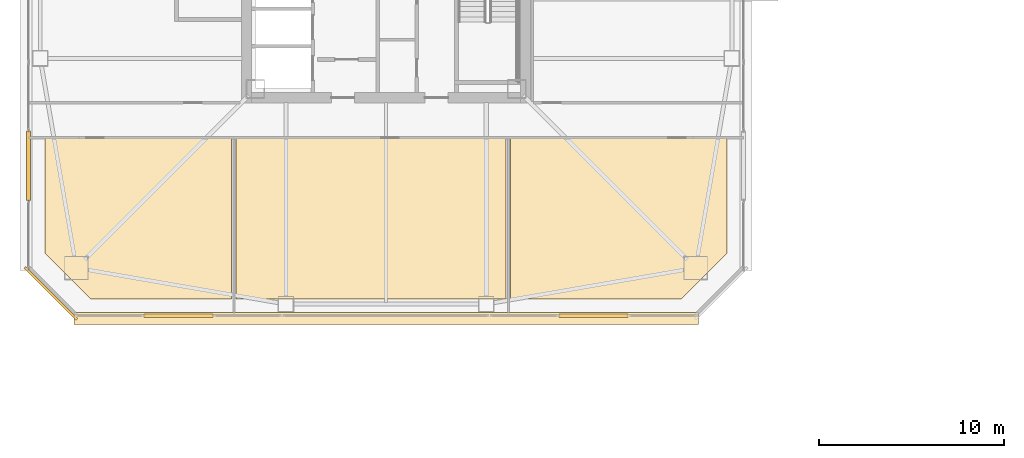
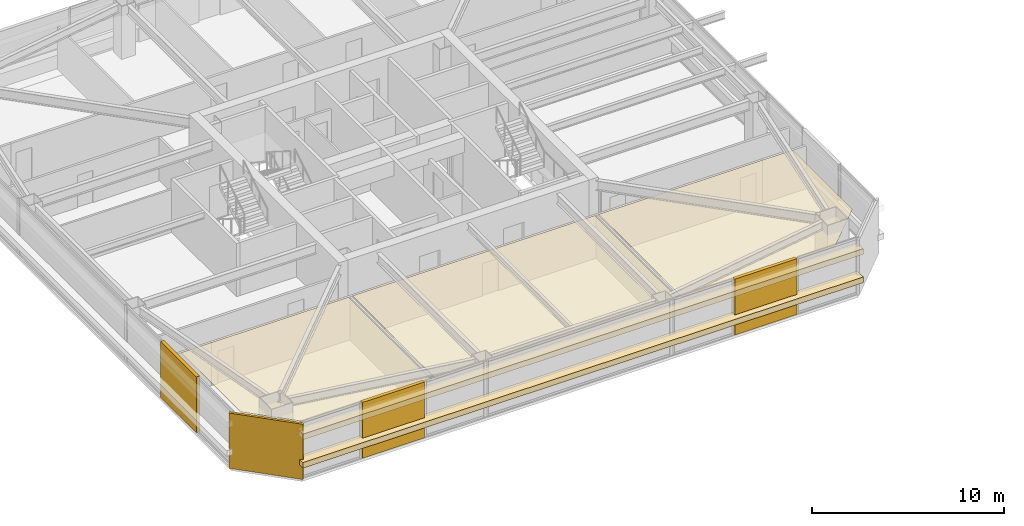
# One storey, part 42 of 46: 9 coverings.
"""IFC4 building model written with IfcOpenShell, lengths in metres."""

from ifc_helpers import new_model, si_unit, direction, frame, origin, origin_2d, place, context, subcontext, project, spatial, polyline, rectangle, outline, extrude, material, layer, layer_set, type_object, element, save


model = new_model("IFC4")

# Units and contexts
model_context = context("Model", 3, precision=1e-05, world=origin(), true_north=direction((0.0, 1.0)))
body_context = subcontext(model_context, "Body", "Model", "MODEL_VIEW")
ifc_project = project(units=[si_unit("LENGTHUNIT", "METRE"), si_unit("AREAUNIT", "SQUARE_METRE"), si_unit("VOLUMEUNIT", "CUBIC_METRE"), si_unit("PLANEANGLEUNIT", "RADIAN"), si_unit("MASSUNIT", "GRAM", prefix="KILO")], contexts=[model_context])

# Site, building, storey
site_placement = place(None, origin())
site = spatial("IfcSite", under=ifc_project, at=site_placement, CompositionType="ELEMENT")
building_placement = place(site_placement, origin())
building = spatial("IfcBuilding", under=site, at=building_placement, Name="Tashvorn Skyway Center", CompositionType="ELEMENT")
storey_placement = place(building_placement, frame((0.0, 0.0, 139.25)))
storey = spatial("IfcBuildingStorey", under=building, at=storey_placement, Name="L37", CompositionType="ELEMENT", Elevation=139.25)

# Coverings
ifc_material_1 = material(Name="Precast concrete C40/50", Category="concrete")
ifc_layer_1 = layer(ifc_material_1, 0.199951171875)
ifc_layer_set_1 = layer_set([ifc_layer_1], Name="Precast concrete C40/50")
covering_type_1 = type_object("IfcCoveringType", Name="COV-BRACE-CLAD", PredefinedType="CLADDING", material=ifc_layer_set_1)
for number, where, z_axis, x_axis, name in (
    (1, (53.186767578125, 12.719970703125, 0.0), (0.0, 0.0, 1.0), (-1.0, 0.0, 0.0), "Tower 1 L37 South Unitised Curtain Wall Mega-Brace Cladding Band 1"),
    (2, (30.813232421875, 12.719970703125, 0.0), (0.0, 0.0, 1.0), (-1.0, 0.0, 0.0), "Tower 1 L37 South Unitised Curtain Wall Mega-Brace Cladding Band 2"),
    (3, (22.719970703125, 20.813232421875, 0.0), (0.0, 0.0, 1.0), (0.0, 1.0, 0.0), "Tower 1 L37 West Unitised Curtain Wall Mega-Brace Cladding Band 1"),
):
    element("IfcCovering", number, at=place(storey_placement, frame(where, z_axis=z_axis, x_axis=x_axis)), inside=storey, type_object=covering_type_1, Name=name, PredefinedType="CLADDING", context=body_context, shape_type="SweptSolid", body=[
        extrude(rectangle(XDim=3.72900390625, YDim=0.199951171875, at=origin_2d()), origin(), (0.0, 0.0, 1.0), 3.550048828125),
    ])
ifc_material_2 = material(Name="Mineral-fibre acoustic ceiling tile on suspended grid")
ifc_layer_2 = layer(ifc_material_2, 0.02001953125)
ifc_layer_set_2 = layer_set([ifc_layer_2], Name="Mineral-fibre acoustic ceiling tile on suspended grid")
covering_type_2 = type_object("IfcCoveringType", Name="COV-CEIL-20", PredefinedType="CEILING", material=ifc_layer_set_2)
covering_1_placement = place(storey_placement, frame((0.0, 0.0, 2.702880859375)))
element("IfcCovering", 4, at=covering_1_placement, inside=storey, type_object=covering_type_2, Name="Tower 1 L37 Research Library Acoustic Ceiling", PredefinedType="CEILING", context=body_context, shape_type="SweptSolid", body=[
    extrude(outline(polyline([(23.6201171875, 22.2900390625), (33.679931640625, 22.2900390625), (33.679931640625, 13.6201171875), (26.080078125, 13.6201171875), (23.6201171875, 16.080078125), (23.6201171875, 22.2900390625)])), origin(), (0.0, 0.0, 1.0), 0.02001953125),
])
covering_2_placement = place(storey_placement, frame((0.0, 0.0, 2.702880859375)))
element("IfcCovering", 5, at=covering_2_placement, inside=storey, type_object=covering_type_2, Name="Tower 1 L37 Security Control Room Acoustic Ceiling", PredefinedType="CEILING", context=body_context, shape_type="SweptSolid", body=[
    extrude(outline(polyline([(33.919921875, 22.2900390625), (48.47998046875, 22.2900390625), (48.47998046875, 13.6201171875), (33.919921875, 13.6201171875), (33.919921875, 22.2900390625)])), origin(), (0.0, 0.0, 1.0), 0.02001953125),
])
covering_3_placement = place(storey_placement, frame((0.0, 0.0, 2.702880859375)))
element("IfcCovering", 6, at=covering_3_placement, inside=storey, type_object=covering_type_2, Name="Tower 1 L37 Security Control Room Acoustic Ceiling", PredefinedType="CEILING", context=body_context, shape_type="SweptSolid", body=[
    extrude(outline(polyline([(48.719970703125, 13.6201171875), (48.719970703125, 22.2900390625), (60.3798828125, 22.2900390625), (60.3798828125, 16.080078125), (57.919921875, 13.6201171875), (48.719970703125, 13.6201171875)])), origin(), (0.0, 0.0, 1.0), 0.02001953125),
])
ifc_material_3 = material(Name="Perforated ceramic-coated bronze aluminium solar screen", Category="aluminium")
ifc_layer_3 = layer(ifc_material_3, 0.85009765625)
ifc_layer_set_3 = layer_set([ifc_layer_3], Name="Perforated ceramic-coated bronze aluminium solar screen")
covering_type_3 = type_object("IfcCoveringType", Name="COV-SOLAR-BAND", PredefinedType="CLADDING", material=ifc_layer_set_3)
for number, where, z_axis, x_axis, name in (
    (7, (42.0, 12.580078125, 0.919921875), (0.0, 0.0, 1.0), (-1.0, 0.0, 0.0), "L37 Perforated Ceramic-Metal Solar Screen Louvre Band South 1"),
    (8, (42.0, 12.580078125, 2.7197265625), (0.0, 0.0, 1.0), (-1.0, 0.0, 0.0), "L37 Perforated Ceramic-Metal Solar Screen Louvre Band South 2"),
):
    element("IfcCovering", number, at=place(storey_placement, frame(where, z_axis=z_axis, x_axis=x_axis)), inside=storey, type_object=covering_type_3, Name=name, PredefinedType="CLADDING", context=body_context, shape_type="SweptSolid", body=[
        extrude(rectangle(XDim=33.679931640625, YDim=0.639892578125, at=origin_2d()), origin(), (0.0, 0.0, 1.0), 0.360107421875),
    ])
ifc_layer_4 = layer(ifc_material_1, 0.35009765625)
ifc_layer_set_4 = layer_set([ifc_layer_4], Name="Precast concrete C40/50")
covering_type_4 = type_object("IfcCoveringType", Name="COV-STONE-TRIM", PredefinedType="CLADDING", material=ifc_layer_set_4)
covering_4_placement = place(storey_placement, frame((23.929931640625, 13.929931640625, 0.02001953125), z_axis=(0.0, 0.0, 1.0), x_axis=(-0.707106781187, 0.707106781187, 0.0)))
element("IfcCovering", 9, at=covering_4_placement, inside=storey, type_object=covering_type_4, Name="Tower 1 L37 SW Mojave Limestone Corner Quoin", PredefinedType="CLADDING", context=body_context, shape_type="SweptSolid", body=[
    extrude(rectangle(XDim=3.978515625, YDim=0.139892578125, at=origin_2d()), origin(), (0.0, 0.0, 1.0), 3.510009765625),
])

save(model, "model.ifc")
